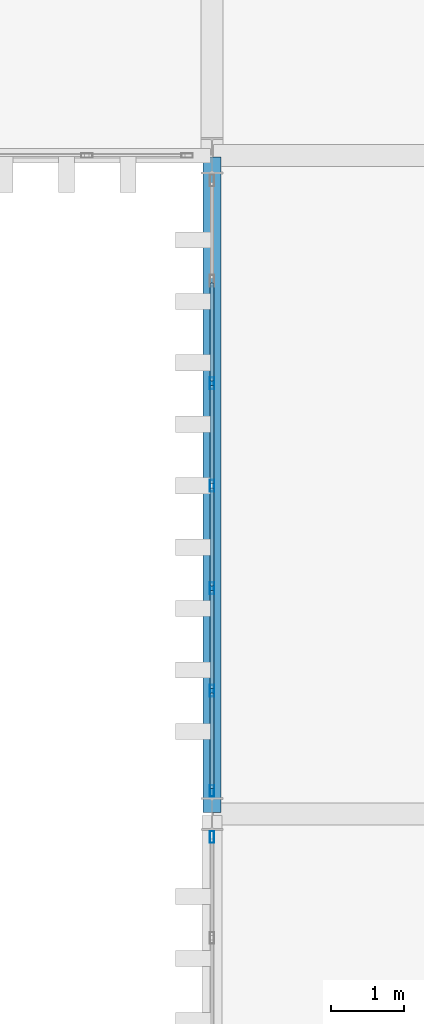
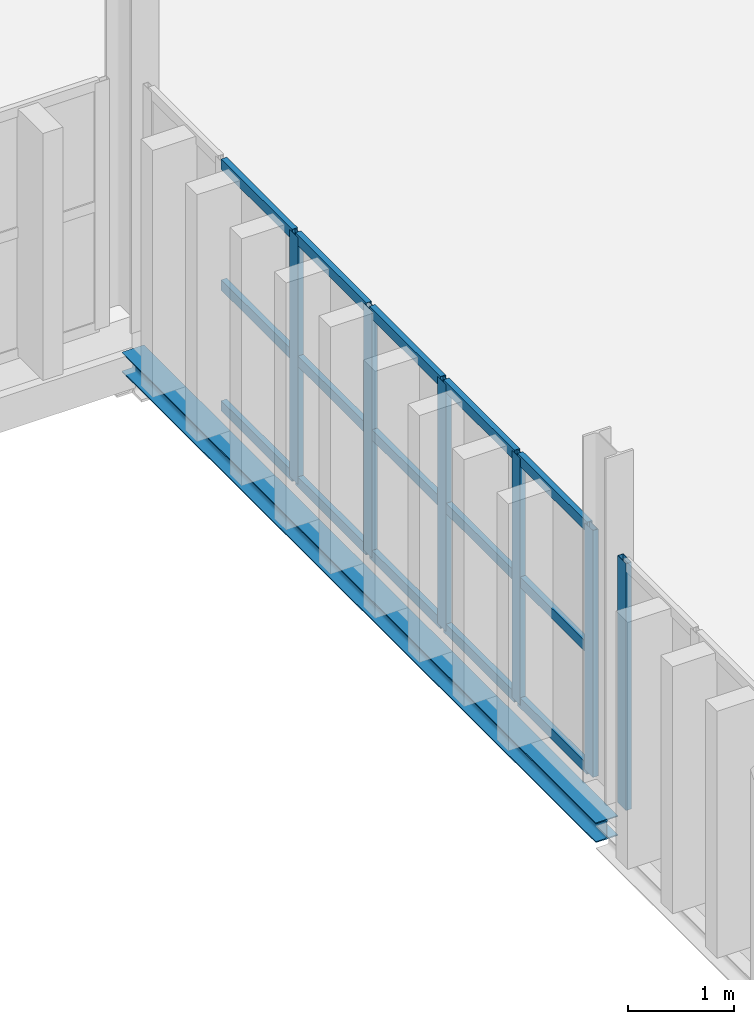
# One storey, part 64 of 102: 21 members, 1 beam, 2 elements without a shape of their own.
"""IFC4 building model written with IfcOpenShell, lengths in metres."""

from ifc_helpers import new_model, si_unit, direction, frame, origin, origin_2d, place, context, subcontext, project, spatial, hollow_rectangle, i_section, extrude, material, layer, layer_set, material_profile, profile_set, type_object, element, aggregate, save


model = new_model("IFC4")

# Units and contexts
model_context = context("Model", 3, precision=1e-05, world=origin(), true_north=direction((0.0, 1.0)))
body_context = subcontext(model_context, "Body", "Model", "MODEL_VIEW")
ifc_project = project(units=[si_unit("LENGTHUNIT", "METRE"), si_unit("AREAUNIT", "SQUARE_METRE"), si_unit("VOLUMEUNIT", "CUBIC_METRE"), si_unit("PLANEANGLEUNIT", "RADIAN"), si_unit("MASSUNIT", "GRAM", prefix="KILO")], contexts=[model_context])

# Site, building, storey
site_placement = place(None, origin())
site = spatial("IfcSite", under=ifc_project, at=site_placement, CompositionType="ELEMENT")
building_placement = place(site_placement, origin())
building = spatial("IfcBuilding", under=site, at=building_placement, Name="Barlavento Convention Centre", CompositionType="ELEMENT")
storey_placement = place(building_placement, frame((0.0, 0.0, 22.800048828125)))
storey = spatial("IfcBuildingStorey", under=building, at=storey_placement, Name="L04", CompositionType="ELEMENT", Elevation=22.800048828125)

# Curtain wall, member
ifc_material_1 = material(Name="Powder-coated aluminium and Low-E glass", Category="aluminium")
ifc_layer = layer(ifc_material_1, 0.179931640625)
ifc_layer_set = layer_set([ifc_layer], Name="ARC-CW-PATIO-B")
curtain_wall_type = type_object("IfcCurtainWallType", Name="ARC-CW-PATIO-B", PredefinedType="NOTDEFINED", material=ifc_layer_set)
curtain_wall_1_placement = place(storey_placement, origin())
curtain_wall_1 = element("IfcCurtainWall", 1, at=curtain_wall_1_placement, inside=storey, type_object=curtain_wall_type, Name="L04 unitised curtain wall CW12", PredefinedType="NOTDEFINED")
ifc_material_2 = material(Name="Powder-coated aluminium", Category="aluminium")
ifc_material_profile_1 = material_profile(ifc_material_2, hollow_rectangle(XDim=0.06005859375, YDim=0.159912109375, WallThickness=0.00390625, at=origin_2d()), Name="AL-MULL 60x160x4")
ifc_profile_set_1 = profile_set([ifc_material_profile_1], Name="Powder-coated aluminium")
member_type_1 = type_object("IfcMemberType", Name="ARC-CWM-60X160", PredefinedType="MULLION", material=ifc_profile_set_1)
member_1_placement = place(storey_placement, frame((171.0, 80.68505859375, 0.0), z_axis=(0.0, 0.0, 1.0), x_axis=(-1.0, 0.0, 0.0)))
member_1 = element("IfcMember", 2, at=member_1_placement, type_object=member_type_1, Name="CW12 mullion 7", PredefinedType="MULLION", context=body_context, shape_type="SweptSolid", body=[
    extrude(hollow_rectangle(XDim=0.06005859375, YDim=0.159912109375, WallThickness=0.00390625, at=origin_2d()), origin(), (0.0, 0.0, 1.0), 2.849853515625),
])
aggregate(curtain_wall_1, [member_1])

# Curtain wall, members
curtain_wall_2_placement = place(storey_placement, origin())
curtain_wall_2 = element("IfcCurtainWall", 3, at=curtain_wall_2_placement, inside=storey, type_object=curtain_wall_type, Name="L04 unitised curtain wall CW12", PredefinedType="NOTDEFINED")
member_2_placement = place(storey_placement, frame((171.0, 81.31494140625, 0.0), z_axis=(0.0, 0.0, 1.0), x_axis=(-1.0, 0.0, 0.0)))
member_2 = element("IfcMember", 4, at=member_2_placement, type_object=member_type_1, Name="CW12 mullion 1", PredefinedType="MULLION", context=body_context, shape_type="SweptSolid", body=[
    extrude(hollow_rectangle(XDim=0.06005859375, YDim=0.159912109375, WallThickness=0.00390625, at=origin_2d()), origin(), (0.0, 0.0, 1.0), 2.849853515625),
])
member_3_placement = place(storey_placement, frame((171.0, 82.685791015625, 0.0), z_axis=(0.0, 0.0, 1.0), x_axis=(-1.0, 0.0, 0.0)))
member_3 = element("IfcMember", 5, at=member_3_placement, type_object=member_type_1, Name="CW12 mullion 2", PredefinedType="MULLION", context=body_context, shape_type="SweptSolid", body=[
    extrude(hollow_rectangle(XDim=0.06005859375, YDim=0.159912109375, WallThickness=0.00390625, at=origin_2d()), origin(), (0.0, 0.0, 1.0), 2.849853515625),
])
member_4_placement = place(storey_placement, frame((171.0, 84.086669921875, 0.0), z_axis=(0.0, 0.0, 1.0), x_axis=(-1.0, 0.0, 0.0)))
member_4 = element("IfcMember", 6, at=member_4_placement, type_object=member_type_1, Name="CW12 mullion 3", PredefinedType="MULLION", context=body_context, shape_type="SweptSolid", body=[
    extrude(hollow_rectangle(XDim=0.06005859375, YDim=0.159912109375, WallThickness=0.00390625, at=origin_2d()), origin(), (0.0, 0.0, 1.0), 2.849853515625),
])
member_5_placement = place(storey_placement, frame((171.0, 85.487548828125, 0.0), z_axis=(0.0, 0.0, 1.0), x_axis=(-1.0, 0.0, 0.0)))
member_5 = element("IfcMember", 7, at=member_5_placement, type_object=member_type_1, Name="CW12 mullion 4", PredefinedType="MULLION", context=body_context, shape_type="SweptSolid", body=[
    extrude(hollow_rectangle(XDim=0.06005859375, YDim=0.159912109375, WallThickness=0.00390625, at=origin_2d()), origin(), (0.0, 0.0, 1.0), 2.849853515625),
])
member_6_placement = place(storey_placement, frame((171.0, 86.888427734375, 0.0), z_axis=(0.0, 0.0, 1.0), x_axis=(-1.0, 0.0, 0.0)))
member_6 = element("IfcMember", 8, at=member_6_placement, type_object=member_type_1, Name="CW12 mullion 5", PredefinedType="MULLION", context=body_context, shape_type="SweptSolid", body=[
    extrude(hollow_rectangle(XDim=0.06005859375, YDim=0.159912109375, WallThickness=0.00390625, at=origin_2d()), origin(), (0.0, 0.0, 1.0), 2.849853515625),
])
ifc_material_profile_2 = material_profile(ifc_material_2, hollow_rectangle(XDim=0.06005859375, YDim=0.1201171875, WallThickness=0.00390625, at=origin_2d()), Name="AL-TRAN 60x120x4")
ifc_profile_set_2 = profile_set([ifc_material_profile_2], Name="Powder-coated aluminium")
member_type_2 = type_object("IfcMemberType", Name="ARC-CWT-60X120", PredefinedType="USERDEFINED", material=ifc_profile_set_2)
member_7_placement = place(storey_placement, frame((171.0, 81.344970703125, 0.030029296875), z_axis=(0.0, 1.0, 0.0), x_axis=(-1.0, 0.0, 0.0)))
member_7 = element("IfcMember", 9, at=member_7_placement, type_object=member_type_2, Name="CW12 transom 1.1", ObjectType="TRANSOM", PredefinedType="USERDEFINED", context=body_context, shape_type="SweptSolid", body=[
    extrude(hollow_rectangle(XDim=0.06005859375, YDim=0.1201171875, WallThickness=0.00390625, at=origin_2d()), origin(), (0.0, 0.0, 1.0), 1.310791015625),
])
member_8_placement = place(storey_placement, frame((171.0, 81.344970703125, 1.425048828125), z_axis=(0.0, 1.0, 0.0), x_axis=(-1.0, 0.0, 0.0)))
member_8 = element("IfcMember", 10, at=member_8_placement, type_object=member_type_2, Name="CW12 transom 1.2", ObjectType="TRANSOM", PredefinedType="USERDEFINED", context=body_context, shape_type="SweptSolid", body=[
    extrude(hollow_rectangle(XDim=0.06005859375, YDim=0.1201171875, WallThickness=0.00390625, at=origin_2d()), origin(), (0.0, 0.0, 1.0), 1.310791015625),
])
member_9_placement = place(storey_placement, frame((171.0, 81.344970703125, 2.820068359375), z_axis=(0.0, 1.0, 0.0), x_axis=(-1.0, 0.0, 0.0)))
member_9 = element("IfcMember", 11, at=member_9_placement, type_object=member_type_2, Name="CW12 transom 1.3", ObjectType="TRANSOM", PredefinedType="USERDEFINED", context=body_context, shape_type="SweptSolid", body=[
    extrude(hollow_rectangle(XDim=0.06005859375, YDim=0.1201171875, WallThickness=0.00390625, at=origin_2d()), origin(), (0.0, 0.0, 1.0), 1.310791015625),
])
member_10_placement = place(storey_placement, frame((171.0, 82.7158203125, 0.030029296875), z_axis=(0.0, 1.0, 0.0), x_axis=(-1.0, 0.0, 0.0)))
member_10 = element("IfcMember", 12, at=member_10_placement, type_object=member_type_2, Name="CW12 transom 2.1", ObjectType="TRANSOM", PredefinedType="USERDEFINED", context=body_context, shape_type="SweptSolid", body=[
    extrude(hollow_rectangle(XDim=0.06005859375, YDim=0.1201171875, WallThickness=0.00390625, at=origin_2d()), origin(), (0.0, 0.0, 1.0), 1.3408203125),
])
member_11_placement = place(storey_placement, frame((171.0, 82.7158203125, 1.425048828125), z_axis=(0.0, 1.0, 0.0), x_axis=(-1.0, 0.0, 0.0)))
member_11 = element("IfcMember", 13, at=member_11_placement, type_object=member_type_2, Name="CW12 transom 2.2", ObjectType="TRANSOM", PredefinedType="USERDEFINED", context=body_context, shape_type="SweptSolid", body=[
    extrude(hollow_rectangle(XDim=0.06005859375, YDim=0.1201171875, WallThickness=0.00390625, at=origin_2d()), origin(), (0.0, 0.0, 1.0), 1.3408203125),
])
member_12_placement = place(storey_placement, frame((171.0, 82.7158203125, 2.820068359375), z_axis=(0.0, 1.0, 0.0), x_axis=(-1.0, 0.0, 0.0)))
member_12 = element("IfcMember", 14, at=member_12_placement, type_object=member_type_2, Name="CW12 transom 2.3", ObjectType="TRANSOM", PredefinedType="USERDEFINED", context=body_context, shape_type="SweptSolid", body=[
    extrude(hollow_rectangle(XDim=0.06005859375, YDim=0.1201171875, WallThickness=0.00390625, at=origin_2d()), origin(), (0.0, 0.0, 1.0), 1.3408203125),
])
member_13_placement = place(storey_placement, frame((171.0, 84.11669921875, 0.030029296875), z_axis=(0.0, 1.0, 0.0), x_axis=(-1.0, 0.0, 0.0)))
member_13 = element("IfcMember", 15, at=member_13_placement, type_object=member_type_2, Name="CW12 transom 3.1", ObjectType="TRANSOM", PredefinedType="USERDEFINED", context=body_context, shape_type="SweptSolid", body=[
    extrude(hollow_rectangle(XDim=0.06005859375, YDim=0.1201171875, WallThickness=0.00390625, at=origin_2d()), origin(), (0.0, 0.0, 1.0), 1.3408203125),
])
member_14_placement = place(storey_placement, frame((171.0, 84.11669921875, 1.425048828125), z_axis=(0.0, 1.0, 0.0), x_axis=(-1.0, 0.0, 0.0)))
member_14 = element("IfcMember", 16, at=member_14_placement, type_object=member_type_2, Name="CW12 transom 3.2", ObjectType="TRANSOM", PredefinedType="USERDEFINED", context=body_context, shape_type="SweptSolid", body=[
    extrude(hollow_rectangle(XDim=0.06005859375, YDim=0.1201171875, WallThickness=0.00390625, at=origin_2d()), origin(), (0.0, 0.0, 1.0), 1.3408203125),
])
member_15_placement = place(storey_placement, frame((171.0, 84.11669921875, 2.820068359375), z_axis=(0.0, 1.0, 0.0), x_axis=(-1.0, 0.0, 0.0)))
member_15 = element("IfcMember", 17, at=member_15_placement, type_object=member_type_2, Name="CW12 transom 3.3", ObjectType="TRANSOM", PredefinedType="USERDEFINED", context=body_context, shape_type="SweptSolid", body=[
    extrude(hollow_rectangle(XDim=0.06005859375, YDim=0.1201171875, WallThickness=0.00390625, at=origin_2d()), origin(), (0.0, 0.0, 1.0), 1.3408203125),
])
member_16_placement = place(storey_placement, frame((171.0, 85.517578125, 0.030029296875), z_axis=(0.0, 1.0, 0.0), x_axis=(-1.0, 0.0, 0.0)))
member_16 = element("IfcMember", 18, at=member_16_placement, type_object=member_type_2, Name="CW12 transom 4.1", ObjectType="TRANSOM", PredefinedType="USERDEFINED", context=body_context, shape_type="SweptSolid", body=[
    extrude(hollow_rectangle(XDim=0.06005859375, YDim=0.1201171875, WallThickness=0.00390625, at=origin_2d()), origin(), (0.0, 0.0, 1.0), 1.3408203125),
])
member_17_placement = place(storey_placement, frame((171.0, 85.517578125, 1.425048828125), z_axis=(0.0, 1.0, 0.0), x_axis=(-1.0, 0.0, 0.0)))
member_17 = element("IfcMember", 19, at=member_17_placement, type_object=member_type_2, Name="CW12 transom 4.2", ObjectType="TRANSOM", PredefinedType="USERDEFINED", context=body_context, shape_type="SweptSolid", body=[
    extrude(hollow_rectangle(XDim=0.06005859375, YDim=0.1201171875, WallThickness=0.00390625, at=origin_2d()), origin(), (0.0, 0.0, 1.0), 1.3408203125),
])
member_18_placement = place(storey_placement, frame((171.0, 85.517578125, 2.820068359375), z_axis=(0.0, 1.0, 0.0), x_axis=(-1.0, 0.0, 0.0)))
member_18 = element("IfcMember", 20, at=member_18_placement, type_object=member_type_2, Name="CW12 transom 4.3", ObjectType="TRANSOM", PredefinedType="USERDEFINED", context=body_context, shape_type="SweptSolid", body=[
    extrude(hollow_rectangle(XDim=0.06005859375, YDim=0.1201171875, WallThickness=0.00390625, at=origin_2d()), origin(), (0.0, 0.0, 1.0), 1.3408203125),
])
member_19_placement = place(storey_placement, frame((171.0, 86.918212890625, 0.030029296875), z_axis=(0.0, 1.0, 0.0), x_axis=(-1.0, 0.0, 0.0)))
member_19 = element("IfcMember", 21, at=member_19_placement, type_object=member_type_2, Name="CW12 transom 5.1", ObjectType="TRANSOM", PredefinedType="USERDEFINED", context=body_context, shape_type="SweptSolid", body=[
    extrude(hollow_rectangle(XDim=0.06005859375, YDim=0.1201171875, WallThickness=0.00390625, at=origin_2d()), origin(), (0.0, 0.0, 1.0), 1.341064453125),
])
member_20_placement = place(storey_placement, frame((171.0, 86.918212890625, 1.425048828125), z_axis=(0.0, 1.0, 0.0), x_axis=(-1.0, 0.0, 0.0)))
member_20 = element("IfcMember", 22, at=member_20_placement, type_object=member_type_2, Name="CW12 transom 5.2", ObjectType="TRANSOM", PredefinedType="USERDEFINED", context=body_context, shape_type="SweptSolid", body=[
    extrude(hollow_rectangle(XDim=0.06005859375, YDim=0.1201171875, WallThickness=0.00390625, at=origin_2d()), origin(), (0.0, 0.0, 1.0), 1.341064453125),
])
member_21_placement = place(storey_placement, frame((171.0, 86.918212890625, 2.820068359375), z_axis=(0.0, 1.0, 0.0), x_axis=(-1.0, 0.0, 0.0)))
member_21 = element("IfcMember", 23, at=member_21_placement, type_object=member_type_2, Name="CW12 transom 5.3", ObjectType="TRANSOM", PredefinedType="USERDEFINED", context=body_context, shape_type="SweptSolid", body=[
    extrude(hollow_rectangle(XDim=0.06005859375, YDim=0.1201171875, WallThickness=0.00390625, at=origin_2d()), origin(), (0.0, 0.0, 1.0), 1.341064453125),
])
aggregate(curtain_wall_2, [member_2, member_3, member_4, member_5, member_6, member_7, member_8, member_9, member_10, member_11, member_12, member_13, member_14, member_15, member_16, member_17, member_18, member_19, member_20, member_21])

# Beam
ifc_material_3 = material(Name="Steel S355", Category="steel")
ifc_material_profile_3 = material_profile(ifc_material_3, i_section(OverallWidth=0.239990234375, OverallDepth=0.22998046875, WebThickness=0.007568359375, FlangeThickness=0.011962890625, FilletRadius=0.02099609375, at=origin_2d()), Name="HEA 240")
ifc_profile_set_3 = profile_set([ifc_material_profile_3], Name="Steel S355")
beam_type = type_object("IfcBeamType", Name="STR-BM-SPN-HEA240", PredefinedType="SPANDREL", material=ifc_profile_set_3)
beam_placement = place(storey_placement, frame((171.0, 81.02001953125, -0.47509765625), z_axis=(0.0, 1.0, 0.0), x_axis=(-1.0, 0.0, 0.0)))
element("IfcBeam", 24, at=beam_placement, inside=storey, type_object=beam_type, Name="L04 grid girder SP05", PredefinedType="SPANDREL", context=body_context, shape_type="SweptSolid", body=[
    extrude(i_section(OverallWidth=0.239990234375, OverallDepth=0.22998046875, WebThickness=0.007568359375, FlangeThickness=0.011962890625, FilletRadius=0.02099609375, at=origin_2d()), origin(), (0.0, 0.0, 1.0), 8.9599609375),
])

save(model, "model.ifc")
